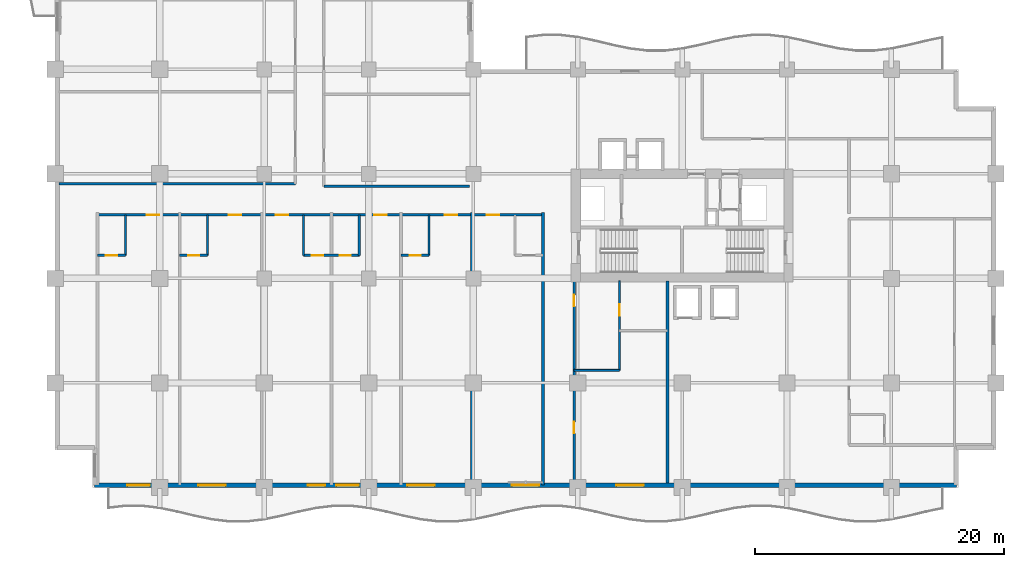
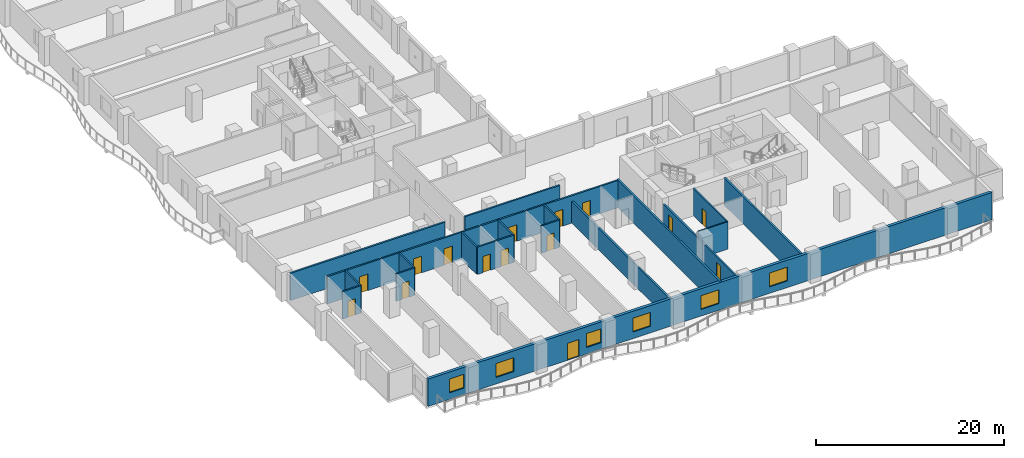
# One storey, part 4 of 17: 19 walls, 15 doors, 6 windows, 21 openings.
"""IFC4 building model written with IfcOpenShell, lengths in metres."""

from ifc_helpers import new_model, si_unit, direction, frame, frame_2d, origin, place, context, subcontext, project, spatial, rectangle, extrude, material, layer, layer_set, type_object, element, fill, save


model = new_model("IFC4")

# Units and contexts
model_context = context("Model", 3, precision=1e-05, world=origin(), true_north=direction((0.0, 1.0)))
body_context = subcontext(model_context, "Body", "Model", "MODEL_VIEW")
ifc_project = project(units=[si_unit("LENGTHUNIT", "METRE"), si_unit("AREAUNIT", "SQUARE_METRE"), si_unit("VOLUMEUNIT", "CUBIC_METRE"), si_unit("PLANEANGLEUNIT", "RADIAN"), si_unit("MASSUNIT", "GRAM", prefix="KILO")], contexts=[model_context])

# Site, building, storey
site_placement = place(None, origin())
site = spatial("IfcSite", under=ifc_project, at=site_placement, CompositionType="ELEMENT")
building_placement = place(site_placement, origin())
building = spatial("IfcBuilding", under=site, at=building_placement, Name="Koriwani Terraces Tower", CompositionType="ELEMENT")
storey_placement = place(building_placement, frame((0.0, 0.0, 130.39990234375)))
storey = spatial("IfcBuildingStorey", under=building, at=storey_placement, Name="L31", CompositionType="ELEMENT", Elevation=130.39990234375)

# Wall, openings, doors
ifc_material_1 = material(Name="Autoclaved Cellular Concrete Blockwork", Category="masonry")
ifc_layer_1 = layer(ifc_material_1, 0.199951171875, Name="Autoclaved Cellular Concrete Blockwork")
ifc_layer_set_1 = layer_set([ifc_layer_1], Name="Autoclaved Cellular Concrete Blockwork")
wall_type_1 = type_object("IfcWallType", Name="WALL_CORRIDOR_200", PredefinedType="PARTITIONING", material=ifc_layer_set_1)
wall_1_placement = place(storey_placement, frame((41.699951171875, 0.35009765625, 0.0), z_axis=(0.0, 0.0, 1.0), x_axis=(0.0, 1.0, 0.0)))
wall_1 = element("IfcWall", 1, at=wall_1_placement, inside=storey, type_object=wall_type_1, Name="L31 Interior Wall WREC-EW-L31", PredefinedType="PARTITIONING", context=body_context, shape_type="SweptSolid", body=[
    extrude(rectangle(XDim=16.25, YDim=0.199951171875, at=frame_2d((8.125, 0.0))), origin(), (0.0, 0.0, 1.0), 2.800048828125),
])
opening_1_placement = place(wall_1_placement, frame((4.0, 0.0, 0.0)))
opening_1 = element("IfcOpeningElement", 2, at=opening_1_placement, cuts=wall_1, Name="Opening D-06", PredefinedType="OPENING", context=body_context, shape_type="SweptSolid", body=[
    extrude(rectangle(XDim=0.919921875, YDim=2.10009765625, at=frame_2d((0.4599609375, 1.050048828125))), frame((0.0, 0.10986328125, 0.0), z_axis=(0.0, -1.0, 0.0), x_axis=(1.0, 0.0, 0.0)), (0.0, 0.0, 1.0), 0.219970703125),
])
opening_2_placement = place(wall_1_placement, frame((14.199951171875, 0.0, 0.0)))
opening_2 = element("IfcOpeningElement", 3, at=opening_2_placement, cuts=wall_1, Name="Opening D-06", PredefinedType="OPENING", context=body_context, shape_type="SweptSolid", body=[
    extrude(rectangle(XDim=0.919921875, YDim=2.10009765625, at=frame_2d((0.4599609375, 1.050048828125))), frame((0.0, 0.10986328125, 0.0), z_axis=(0.0, -1.0, 0.0), x_axis=(1.0, 0.0, 0.0)), (0.0, 0.0, 1.0), 0.219970703125),
])
ifc_material_2 = material(Name="Architectural Oak Fire Door", Category="wood")
door_type_1 = type_object("IfcDoorType", Name="DOOR_ROOM_INT_920X2100", OperationType="NOTDEFINED", PredefinedType="DOOR", material=ifc_material_2)
door_1_placement = place(opening_1_placement, origin())
door_1 = element("IfcDoor", 4, at=door_1_placement, inside=storey, type_object=door_type_1, Name="L31 Floor Study Lounge Door", OperationType="SINGLE_SWING_RIGHT", OverallHeight=2.10009765625, OverallWidth=0.919921875, PredefinedType="DOOR", context=body_context, shape_type="SweptSolid", body=[
    extrude(rectangle(XDim=0.919921875, YDim=2.10009765625, at=frame_2d((0.4599609375, 1.050048828125))), frame((0.0, 0.02490234375, 0.0), z_axis=(0.0, -1.0, 0.0), x_axis=(1.0, 0.0, 0.0)), (0.0, 0.0, 1.0), 0.050048828125),
])
fill(opening_1, door_1)
door_2_placement = place(opening_2_placement, origin())
door_2 = element("IfcDoor", 5, at=door_2_placement, inside=storey, type_object=door_type_1, Name="L31 Housekeeping Store Door", OperationType="SINGLE_SWING_LEFT", OverallHeight=2.10009765625, OverallWidth=0.919921875, PredefinedType="DOOR", context=body_context, shape_type="SweptSolid", body=[
    extrude(rectangle(XDim=0.919921875, YDim=2.10009765625, at=frame_2d((0.4599609375, 1.050048828125))), frame((0.0, 0.02490234375, 0.0), z_axis=(0.0, -1.0, 0.0), x_axis=(1.0, 0.0, 0.0)), (0.0, 0.0, 1.0), 0.050048828125),
])
fill(opening_2, door_2)

# Wall
wall_2_placement = place(storey_placement, frame((21.60009765625, 24.199951171875, 0.0), z_axis=(0.0, 0.0, 1.0), x_axis=(1.0, 0.0, 0.0)))
element("IfcWall", 6, at=wall_2_placement, inside=storey, type_object=wall_type_1, Name="L31 Interior Wall WIC2-S-L31", PredefinedType="PARTITIONING", context=body_context, shape_type="SweptSolid", body=[
    extrude(rectangle(XDim=11.699951171875, YDim=0.199951171875, at=frame_2d((5.85009765625, 0.0))), origin(), (0.0, 0.0, 1.0), 3.550048828125),
])

# Wall, openings, doors
wall_3_placement = place(storey_placement, frame((3.39990234375, 21.89990234375, 0.0), z_axis=(0.0, 0.0, 1.0), x_axis=(1.0, 0.0, 0.0)))
wall_3 = element("IfcWall", 7, at=wall_3_placement, inside=storey, type_object=wall_type_1, Name="L31 Interior Wall WCOR-L31-SW-0", PredefinedType="PARTITIONING", context=body_context, shape_type="SweptSolid", body=[
    extrude(rectangle(XDim=35.800048828125, YDim=0.199951171875, at=frame_2d((17.89990234375, 0.0))), origin(), (0.0, 0.0, 1.0), 3.550048828125),
])
opening_3_placement = place(wall_3_placement, frame((3.965087890625, 0.0, 0.0)))
opening_3 = element("IfcOpeningElement", 8, at=opening_3_placement, cuts=wall_3, Name="Opening D-05", PredefinedType="OPENING", context=body_context, shape_type="SweptSolid", body=[
    extrude(rectangle(XDim=1.0, YDim=2.14990234375, at=frame_2d((0.5, 1.074951171875))), frame((0.0, 0.10986328125, 0.0), z_axis=(0.0, -1.0, 0.0), x_axis=(1.0, 0.0, 0.0)), (0.0, 0.0, 1.0), 0.219970703125),
])
opening_4_placement = place(wall_3_placement, frame((10.56494140625, 0.0, 0.0)))
opening_4 = element("IfcOpeningElement", 9, at=opening_4_placement, cuts=wall_3, Name="Opening D-05", PredefinedType="OPENING", context=body_context, shape_type="SweptSolid", body=[
    extrude(rectangle(XDim=1.0, YDim=2.14990234375, at=frame_2d((0.5, 1.074951171875))), frame((0.0, 0.10986328125, 0.0), z_axis=(0.0, -1.0, 0.0), x_axis=(1.0, 0.0, 0.0)), (0.0, 0.0, 1.0), 0.219970703125),
])
opening_5_placement = place(wall_3_placement, frame((14.340087890625, 0.0, 0.0)))
opening_5 = element("IfcOpeningElement", 10, at=opening_5_placement, cuts=wall_3, Name="Opening D-05", PredefinedType="OPENING", context=body_context, shape_type="SweptSolid", body=[
    extrude(rectangle(XDim=1.0, YDim=2.14990234375, at=frame_2d((0.5, 1.074951171875))), frame((0.0, 0.10986328125, 0.0), z_axis=(0.0, -1.0, 0.0), x_axis=(1.0, 0.0, 0.0)), (0.0, 0.0, 1.0), 0.219970703125),
])
opening_6_placement = place(wall_3_placement, frame((22.260009765625, 0.0, 0.0)))
opening_6 = element("IfcOpeningElement", 11, at=opening_6_placement, cuts=wall_3, Name="Opening D-05", PredefinedType="OPENING", context=body_context, shape_type="SweptSolid", body=[
    extrude(rectangle(XDim=1.0, YDim=2.14990234375, at=frame_2d((0.5, 1.074951171875))), frame((0.0, 0.10986328125, 0.0), z_axis=(0.0, -1.0, 0.0), x_axis=(1.0, 0.0, 0.0)), (0.0, 0.0, 1.0), 0.219970703125),
])
opening_7_placement = place(wall_3_placement, frame((27.9150390625, 0.0, 0.0)))
opening_7 = element("IfcOpeningElement", 12, at=opening_7_placement, cuts=wall_3, Name="Opening D-05", PredefinedType="OPENING", context=body_context, shape_type="SweptSolid", body=[
    extrude(rectangle(XDim=1.0, YDim=2.14990234375, at=frame_2d((0.5, 1.074951171875))), frame((0.0, 0.10986328125, 0.0), z_axis=(0.0, -1.0, 0.0), x_axis=(1.0, 0.0, 0.0)), (0.0, 0.0, 1.0), 0.219970703125),
])
opening_8_placement = place(wall_3_placement, frame((31.284912109375, 0.0, 0.0)))
opening_8 = element("IfcOpeningElement", 13, at=opening_8_placement, cuts=wall_3, Name="Opening D-05", PredefinedType="OPENING", context=body_context, shape_type="SweptSolid", body=[
    extrude(rectangle(XDim=1.0, YDim=2.14990234375, at=frame_2d((0.5, 1.074951171875))), frame((0.0, 0.10986328125, 0.0), z_axis=(0.0, -1.0, 0.0), x_axis=(1.0, 0.0, 0.0)), (0.0, 0.0, 1.0), 0.219970703125),
])
door_type_2 = type_object("IfcDoorType", Name="DOOR_SUITE_ENTRY_1000X2150", OperationType="NOTDEFINED", PredefinedType="DOOR", material=ifc_material_2)
door_3_placement = place(opening_3_placement, origin())
door_3 = element("IfcDoor", 14, at=door_3_placement, inside=storey, type_object=door_type_2, Name="Luxury Hotel Suite 31SW1 Entrance Door", OperationType="SINGLE_SWING_RIGHT", OverallHeight=2.14990234375, OverallWidth=1.0, PredefinedType="DOOR", context=body_context, shape_type="SweptSolid", body=[
    extrude(rectangle(XDim=1.0, YDim=2.14990234375, at=frame_2d((0.5, 1.074951171875))), frame((0.0, 0.02490234375, 0.0), z_axis=(0.0, -1.0, 0.0), x_axis=(1.0, 0.0, 0.0)), (0.0, 0.0, 1.0), 0.050048828125),
])
fill(opening_3, door_3)
door_4_placement = place(opening_4_placement, origin())
door_4 = element("IfcDoor", 15, at=door_4_placement, inside=storey, type_object=door_type_2, Name="Luxury Hotel Suite 31SW2 Entrance Door", OperationType="SINGLE_SWING_RIGHT", OverallHeight=2.14990234375, OverallWidth=1.0, PredefinedType="DOOR", context=body_context, shape_type="SweptSolid", body=[
    extrude(rectangle(XDim=1.0, YDim=2.14990234375, at=frame_2d((0.5, 1.074951171875))), frame((0.0, 0.02490234375, 0.0), z_axis=(0.0, -1.0, 0.0), x_axis=(1.0, 0.0, 0.0)), (0.0, 0.0, 1.0), 0.050048828125),
])
fill(opening_4, door_4)
door_5_placement = place(opening_5_placement, origin())
door_5 = element("IfcDoor", 16, at=door_5_placement, inside=storey, type_object=door_type_2, Name="Luxury Hotel Suite 31SW3 Entrance Door", OperationType="SINGLE_SWING_RIGHT", OverallHeight=2.14990234375, OverallWidth=1.0, PredefinedType="DOOR", context=body_context, shape_type="SweptSolid", body=[
    extrude(rectangle(XDim=1.0, YDim=2.14990234375, at=frame_2d((0.5, 1.074951171875))), frame((0.0, 0.02490234375, 0.0), z_axis=(0.0, -1.0, 0.0), x_axis=(1.0, 0.0, 0.0)), (0.0, 0.0, 1.0), 0.050048828125),
])
fill(opening_5, door_5)
door_6_placement = place(opening_6_placement, origin())
door_6 = element("IfcDoor", 17, at=door_6_placement, inside=storey, type_object=door_type_2, Name="Luxury Hotel Suite 31SW4 Entrance Door", OperationType="SINGLE_SWING_RIGHT", OverallHeight=2.14990234375, OverallWidth=1.0, PredefinedType="DOOR", context=body_context, shape_type="SweptSolid", body=[
    extrude(rectangle(XDim=1.0, YDim=2.14990234375, at=frame_2d((0.5, 1.074951171875))), frame((0.0, 0.02490234375, 0.0), z_axis=(0.0, -1.0, 0.0), x_axis=(1.0, 0.0, 0.0)), (0.0, 0.0, 1.0), 0.050048828125),
])
fill(opening_6, door_6)
door_7_placement = place(opening_7_placement, origin())
door_7 = element("IfcDoor", 18, at=door_7_placement, inside=storey, type_object=door_type_2, Name="Luxury Hotel Suite 31SW5 Entrance Door", OperationType="SINGLE_SWING_RIGHT", OverallHeight=2.14990234375, OverallWidth=1.0, PredefinedType="DOOR", context=body_context, shape_type="SweptSolid", body=[
    extrude(rectangle(XDim=1.0, YDim=2.14990234375, at=frame_2d((0.5, 1.074951171875))), frame((0.0, 0.02490234375, 0.0), z_axis=(0.0, -1.0, 0.0), x_axis=(1.0, 0.0, 0.0)), (0.0, 0.0, 1.0), 0.050048828125),
])
fill(opening_7, door_7)
door_8_placement = place(opening_8_placement, origin())
door_8 = element("IfcDoor", 19, at=door_8_placement, inside=storey, type_object=door_type_2, Name="Luxury Hotel Suite 31SW6 Entrance Door", OperationType="SINGLE_SWING_RIGHT", OverallHeight=2.14990234375, OverallWidth=1.0, PredefinedType="DOOR", context=body_context, shape_type="SweptSolid", body=[
    extrude(rectangle(XDim=1.0, YDim=2.14990234375, at=frame_2d((0.5, 1.074951171875))), frame((0.0, 0.02490234375, 0.0), z_axis=(0.0, -1.0, 0.0), x_axis=(1.0, 0.0, 0.0)), (0.0, 0.0, 1.0), 0.050048828125),
])
fill(opening_8, door_8)

# Walls
ifc_layer_2 = layer(ifc_material_1, 0.219970703125, Name="Autoclaved Cellular Concrete Blockwork")
ifc_layer_set_2 = layer_set([ifc_layer_2], Name="Autoclaved Cellular Concrete Blockwork")
wall_type_2 = type_object("IfcWallType", Name="WALL_DEMISING_220", PredefinedType="PARTITIONING", material=ifc_layer_set_2)
wall_4_placement = place(storey_placement, frame((49.199951171875, 0.35009765625, 0.0), z_axis=(0.0, 0.0, 1.0), x_axis=(0.0, 1.0, 0.0)))
element("IfcWall", 20, at=wall_4_placement, inside=storey, type_object=wall_type_2, Name="L31 Interior Wall WREC-EE-L31", PredefinedType="PARTITIONING", context=body_context, shape_type="SweptSolid", body=[
    extrude(rectangle(XDim=16.25, YDim=0.219970703125, at=frame_2d((8.125, 0.0))), origin(), (0.0, 0.0, 1.0), 3.550048828125),
])
wall_5_placement = place(storey_placement, frame((33.5, 0.199951171875, 0.0), z_axis=(0.0, 0.0, 1.0), x_axis=(0.0, 1.0, 0.0)))
element("IfcWall", 21, at=wall_5_placement, inside=storey, type_object=wall_type_2, Name="L31 Interior Wall WDEM-L31-SW-5", PredefinedType="PARTITIONING", context=body_context, shape_type="SweptSolid", body=[
    extrude(rectangle(XDim=21.880126953125, YDim=0.219970703125, at=frame_2d((10.93994140625, 0.0))), origin(), (0.0, 0.0, 1.0), 2.800048828125),
])
wall_6_placement = place(storey_placement, frame((39.199951171875, 0.199951171875, 0.0), z_axis=(0.0, 0.0, 1.0), x_axis=(0.0, 1.0, 0.0)))
element("IfcWall", 22, at=wall_6_placement, inside=storey, type_object=wall_type_2, Name="L31 Interior Wall WDEME-L31-SW", PredefinedType="PARTITIONING", context=body_context, shape_type="SweptSolid", body=[
    extrude(rectangle(XDim=21.880126953125, YDim=0.219970703125, at=frame_2d((10.93994140625, 0.0))), origin(), (0.0, 0.0, 1.0), 3.550048828125),
])
wall_7_placement = place(storey_placement, frame((0.300048828125, 24.39990234375, 0.0), z_axis=(0.0, 0.0, 1.0), x_axis=(1.0, 0.0, 0.0)))
element("IfcWall", 23, at=wall_7_placement, inside=storey, type_object=wall_type_2, Name="L31 Interior Wall WC2NWCLS-L31", PredefinedType="PARTITIONING", context=body_context, shape_type="SweptSolid", body=[
    extrude(rectangle(XDim=19.0, YDim=0.219970703125, at=frame_2d((9.5, 0.0))), origin(), (0.0, 0.0, 1.0), 3.550048828125),
])

# Wall, openings, door, windows
ifc_material_3 = material(Name="Concrete C50/60", Category="concrete")
ifc_layer_3 = layer(ifc_material_3, 0.35009765625, Name="Concrete C50/60")
ifc_layer_set_3 = layer_set([ifc_layer_3], Name="Concrete C50/60")
wall_type_3 = type_object("IfcWallType", Name="WALL_EXT_BRUTALIST_350", PredefinedType="STANDARD", material=ifc_layer_set_3)
wall_8_placement = place(storey_placement, frame((72.425048828125, 0.175048828125, 0.0), z_axis=(0.0, 0.0, 1.0), x_axis=(-1.0, 0.0, 0.0)))
wall_8 = element("IfcWall", 24, at=wall_8_placement, inside=storey, type_object=wall_type_3, Name="L31 Fair-Faced Brutalist Exterior Wall (S)", PredefinedType="STANDARD", context=body_context, shape_type="SweptSolid", body=[
    extrude(rectangle(XDim=69.25, YDim=0.35009765625, at=frame_2d((34.625, 0.0))), origin(), (0.0, 0.0, 1.0), 3.550048828125),
])
opening_9_placement = place(wall_8_placement, frame((50.72509765625, 0.0, 0.0)))
opening_9 = element("IfcOpeningElement", 25, at=opening_9_placement, cuts=wall_8, Name="Opening D-09", PredefinedType="OPENING", context=body_context, shape_type="SweptSolid", body=[
    extrude(rectangle(XDim=1.39990234375, YDim=2.199951171875, at=frame_2d((0.699951171875, 1.10009765625))), frame((0.0, 0.18505859375, 0.0), z_axis=(0.0, -1.0, 0.0), x_axis=(1.0, 0.0, 0.0)), (0.0, 0.0, 1.0), 0.3701171875),
])
opening_10_placement = place(wall_8_placement, frame((58.72509765625, 0.0, 0.85009765625)))
opening_10 = element("IfcOpeningElement", 26, at=opening_10_placement, cuts=wall_8, Name="Opening W-01", PredefinedType="OPENING", context=body_context, shape_type="SweptSolid", body=[
    extrude(rectangle(XDim=2.199951171875, YDim=1.800048828125, at=frame_2d((1.10009765625, 0.89990234375))), frame((0.0, 0.18505859375, 0.0), z_axis=(0.0, -1.0, 0.0), x_axis=(1.0, 0.0, 0.0)), (0.0, 0.0, 1.0), 0.3701171875),
])
opening_11_placement = place(wall_8_placement, frame((41.925048828125, 0.0, 0.85009765625)))
opening_11 = element("IfcOpeningElement", 27, at=opening_11_placement, cuts=wall_8, Name="Opening W-01", PredefinedType="OPENING", context=body_context, shape_type="SweptSolid", body=[
    extrude(rectangle(XDim=2.199951171875, YDim=1.800048828125, at=frame_2d((1.10009765625, 0.89990234375))), frame((0.0, 0.18505859375, 0.0), z_axis=(0.0, -1.0, 0.0), x_axis=(1.0, 0.0, 0.0)), (0.0, 0.0, 1.0), 0.3701171875),
])
opening_12_placement = place(wall_8_placement, frame((33.52490234375, 0.0, 0.85009765625)))
opening_12 = element("IfcOpeningElement", 28, at=opening_12_placement, cuts=wall_8, Name="Opening W-01", PredefinedType="OPENING", context=body_context, shape_type="SweptSolid", body=[
    extrude(rectangle(XDim=2.199951171875, YDim=1.800048828125, at=frame_2d((1.10009765625, 0.89990234375))), frame((0.0, 0.18505859375, 0.0), z_axis=(0.0, -1.0, 0.0), x_axis=(1.0, 0.0, 0.0)), (0.0, 0.0, 1.0), 0.3701171875),
])
opening_13_placement = place(wall_8_placement, frame((25.125, 0.0, 0.85009765625)))
opening_13 = element("IfcOpeningElement", 29, at=opening_13_placement, cuts=wall_8, Name="Opening W-01", PredefinedType="OPENING", context=body_context, shape_type="SweptSolid", body=[
    extrude(rectangle(XDim=2.199951171875, YDim=1.800048828125, at=frame_2d((1.10009765625, 0.89990234375))), frame((0.0, 0.18505859375, 0.0), z_axis=(0.0, -1.0, 0.0), x_axis=(1.0, 0.0, 0.0)), (0.0, 0.0, 1.0), 0.3701171875),
])
opening_14_placement = place(wall_8_placement, frame((64.824951171875, 0.0, 0.85009765625)))
opening_14 = element("IfcOpeningElement", 30, at=opening_14_placement, cuts=wall_8, Name="Opening W-04", PredefinedType="OPENING", context=body_context, shape_type="SweptSolid", body=[
    extrude(rectangle(XDim=1.800048828125, YDim=1.800048828125, at=frame_2d((0.89990234375, 0.89990234375))), frame((0.0, 0.18505859375, 0.0), z_axis=(0.0, -1.0, 0.0), x_axis=(1.0, 0.0, 0.0)), (0.0, 0.0, 1.0), 0.3701171875),
])
opening_15_placement = place(wall_8_placement, frame((48.02490234375, 0.0, 0.85009765625)))
opening_15 = element("IfcOpeningElement", 31, at=opening_15_placement, cuts=wall_8, Name="Opening W-04", PredefinedType="OPENING", context=body_context, shape_type="SweptSolid", body=[
    extrude(rectangle(XDim=1.800048828125, YDim=1.800048828125, at=frame_2d((0.89990234375, 0.89990234375))), frame((0.0, 0.18505859375, 0.0), z_axis=(0.0, -1.0, 0.0), x_axis=(1.0, 0.0, 0.0)), (0.0, 0.0, 1.0), 0.3701171875),
])
ifc_material_4 = material(Name="Anodised Bronze Aluminium", Category="aluminium")
door_type_3 = type_object("IfcDoorType", Name="DOOR_BALCONY_GLAZED_1400X2200", OperationType="NOTDEFINED", PredefinedType="DOOR", material=ifc_material_4)
door_9_placement = place(opening_9_placement, origin())
door_9 = element("IfcDoor", 32, at=door_9_placement, inside=storey, type_object=door_type_3, Name="L31 South Balcony Glazed Door", OperationType="SINGLE_SWING_LEFT", OverallHeight=2.199951171875, OverallWidth=1.39990234375, PredefinedType="DOOR", context=body_context, shape_type="SweptSolid", body=[
    extrude(rectangle(XDim=1.39990234375, YDim=2.199951171875, at=frame_2d((0.699951171875, 1.10009765625))), frame((0.0, 0.02490234375, 0.0), z_axis=(0.0, -1.0, 0.0), x_axis=(1.0, 0.0, 0.0)), (0.0, 0.0, 1.0), 0.050048828125),
])
fill(opening_9, door_9)
ifc_material_5 = material(Name="Tempered Laminated Low-E Glass", Category="glass")
window_type_1 = type_object("IfcWindowType", Name="WIN_HOTEL_STD_2200X1800", PartitioningType="DOUBLE_PANEL_VERTICAL", PredefinedType="WINDOW", material=ifc_material_5)
window_1_placement = place(opening_10_placement, origin())
window_1 = element("IfcWindow", 33, at=window_1_placement, inside=storey, type_object=window_type_1, Name="L31 Exterior Window (S-3)", OverallHeight=1.800048828125, OverallWidth=2.199951171875, PartitioningType="SINGLE_PANEL", PredefinedType="WINDOW", context=body_context, shape_type="SweptSolid", body=[
    extrude(rectangle(XDim=2.199951171875, YDim=1.800048828125, at=frame_2d((1.10009765625, 0.89990234375))), frame((0.0, 0.030029296875, 0.0), z_axis=(0.0, -1.0, 0.0), x_axis=(1.0, 0.0, 0.0)), (0.0, 0.0, 1.0), 0.06005859375),
])
fill(opening_10, window_1)
window_2_placement = place(opening_11_placement, origin())
window_2 = element("IfcWindow", 34, at=window_2_placement, inside=storey, type_object=window_type_1, Name="L31 Exterior Window (S-9)", OverallHeight=1.800048828125, OverallWidth=2.199951171875, PartitioningType="SINGLE_PANEL", PredefinedType="WINDOW", context=body_context, shape_type="SweptSolid", body=[
    extrude(rectangle(XDim=2.199951171875, YDim=1.800048828125, at=frame_2d((1.10009765625, 0.89990234375))), frame((0.0, 0.030029296875, 0.0), z_axis=(0.0, -1.0, 0.0), x_axis=(1.0, 0.0, 0.0)), (0.0, 0.0, 1.0), 0.06005859375),
])
fill(opening_11, window_2)
window_3_placement = place(opening_12_placement, origin())
window_3 = element("IfcWindow", 35, at=window_3_placement, inside=storey, type_object=window_type_1, Name="L31 Exterior Window (S-12)", OverallHeight=1.800048828125, OverallWidth=2.199951171875, PartitioningType="SINGLE_PANEL", PredefinedType="WINDOW", context=body_context, shape_type="SweptSolid", body=[
    extrude(rectangle(XDim=2.199951171875, YDim=1.800048828125, at=frame_2d((1.10009765625, 0.89990234375))), frame((0.0, 0.030029296875, 0.0), z_axis=(0.0, -1.0, 0.0), x_axis=(1.0, 0.0, 0.0)), (0.0, 0.0, 1.0), 0.06005859375),
])
fill(opening_12, window_3)
window_4_placement = place(opening_13_placement, origin())
window_4 = element("IfcWindow", 36, at=window_4_placement, inside=storey, type_object=window_type_1, Name="L31 Exterior Window (S-15)", OverallHeight=1.800048828125, OverallWidth=2.199951171875, PartitioningType="SINGLE_PANEL", PredefinedType="WINDOW", context=body_context, shape_type="SweptSolid", body=[
    extrude(rectangle(XDim=2.199951171875, YDim=1.800048828125, at=frame_2d((1.10009765625, 0.89990234375))), frame((0.0, 0.030029296875, 0.0), z_axis=(0.0, -1.0, 0.0), x_axis=(1.0, 0.0, 0.0)), (0.0, 0.0, 1.0), 0.06005859375),
])
fill(opening_13, window_4)
window_type_2 = type_object("IfcWindowType", Name="WIN_RES_BED_1800X1800", PartitioningType="DOUBLE_PANEL_VERTICAL", PredefinedType="WINDOW", material=ifc_material_5)
window_5_placement = place(opening_14_placement, origin())
window_5 = element("IfcWindow", 37, at=window_5_placement, inside=storey, type_object=window_type_2, Name="L31 Exterior Window (S-R34)", OverallHeight=1.800048828125, OverallWidth=1.800048828125, PartitioningType="SINGLE_PANEL", PredefinedType="WINDOW", context=body_context, shape_type="SweptSolid", body=[
    extrude(rectangle(XDim=1.800048828125, YDim=1.800048828125, at=frame_2d((0.89990234375, 0.89990234375))), frame((0.0, 0.030029296875, 0.0), z_axis=(0.0, -1.0, 0.0), x_axis=(1.0, 0.0, 0.0)), (0.0, 0.0, 1.0), 0.06005859375),
])
fill(opening_14, window_5)
window_6_placement = place(opening_15_placement, origin())
window_6 = element("IfcWindow", 38, at=window_6_placement, inside=storey, type_object=window_type_2, Name="L31 Exterior Window (S-R40)", OverallHeight=1.800048828125, OverallWidth=1.800048828125, PartitioningType="SINGLE_PANEL", PredefinedType="WINDOW", context=body_context, shape_type="SweptSolid", body=[
    extrude(rectangle(XDim=1.800048828125, YDim=1.800048828125, at=frame_2d((0.89990234375, 0.89990234375))), frame((0.0, 0.030029296875, 0.0), z_axis=(0.0, -1.0, 0.0), x_axis=(1.0, 0.0, 0.0)), (0.0, 0.0, 1.0), 0.06005859375),
])
fill(opening_15, window_6)

# Wall, opening, door
ifc_material_6 = material(Name="Fire-Rated Acoustic Gypsum Partition", Category="masonry")
ifc_layer_4 = layer(ifc_material_6, 0.179931640625, Name="Fire-Rated Acoustic Gypsum Partition")
ifc_layer_set_4 = layer_set([ifc_layer_4], Name="Fire-Rated Acoustic Gypsum Partition")
wall_type_4 = type_object("IfcWallType", Name="WALL_PLUMBING_180", PredefinedType="PLUMBINGWALL", material=ifc_layer_set_4)
wall_9_placement = place(storey_placement, frame((3.39990234375, 18.64990234375, 0.0), z_axis=(0.0, 0.0, 1.0), x_axis=(1.0, 0.0, 0.0)))
wall_9 = element("IfcWall", 39, at=wall_9_placement, inside=storey, type_object=wall_type_4, Name="L31 Interior Wall WBTH1-L31-SW-0", PredefinedType="PLUMBINGWALL", context=body_context, shape_type="SweptSolid", body=[
    extrude(rectangle(XDim=2.25, YDim=0.179931640625, at=frame_2d((1.125, 0.0))), origin(), (0.0, 0.0, 1.0), 3.550048828125),
])
opening_16_placement = place(wall_9_placement, frame((0.675048828125, 0.0, 0.0)))
opening_16 = element("IfcOpeningElement", 40, at=opening_16_placement, cuts=wall_9, Name="Opening D-07", PredefinedType="OPENING", context=body_context, shape_type="SweptSolid", body=[
    extrude(rectangle(XDim=0.89990234375, YDim=2.10009765625, at=frame_2d((0.449951171875, 1.050048828125))), frame((0.0, 0.10009765625, 0.0), z_axis=(0.0, -1.0, 0.0), x_axis=(1.0, 0.0, 0.0)), (0.0, 0.0, 1.0), 0.199951171875),
])
door_type_4 = type_object("IfcDoorType", Name="DOOR_BATH_INT_900X2100", OperationType="NOTDEFINED", PredefinedType="DOOR", material=ifc_material_2)
door_10_placement = place(opening_16_placement, origin())
door_10 = element("IfcDoor", 41, at=door_10_placement, inside=storey, type_object=door_type_4, Name="En-Suite Bathroom 31SW1 Door", OperationType="SINGLE_SWING_LEFT", OverallHeight=2.10009765625, OverallWidth=0.89990234375, PredefinedType="DOOR", context=body_context, shape_type="SweptSolid", body=[
    extrude(rectangle(XDim=0.89990234375, YDim=2.10009765625, at=frame_2d((0.449951171875, 1.050048828125))), frame((0.0, 0.02490234375, 0.0), z_axis=(0.0, -1.0, 0.0), x_axis=(1.0, 0.0, 0.0)), (0.0, 0.0, 1.0), 0.050048828125),
])
fill(opening_16, door_10)

# Wall
wall_10_placement = place(storey_placement, frame((5.64990234375, 18.64990234375, 0.0), z_axis=(0.0, 0.0, 1.0), x_axis=(0.0, 1.0, 0.0)))
element("IfcWall", 42, at=wall_10_placement, inside=storey, type_object=wall_type_4, Name="L31 Interior Wall WBTH2-L31-SW-0", PredefinedType="PLUMBINGWALL", context=body_context, shape_type="SweptSolid", body=[
    extrude(rectangle(XDim=3.25, YDim=0.179931640625, at=frame_2d((1.625, 0.0))), origin(), (0.0, 0.0, 1.0), 3.550048828125),
])

# Wall, opening, door
wall_11_placement = place(storey_placement, frame((10.0, 18.64990234375, 0.0), z_axis=(0.0, 0.0, 1.0), x_axis=(1.0, 0.0, 0.0)))
wall_11 = element("IfcWall", 43, at=wall_11_placement, inside=storey, type_object=wall_type_4, Name="L31 Interior Wall WBTH1-L31-SW-1", PredefinedType="PLUMBINGWALL", context=body_context, shape_type="SweptSolid", body=[
    extrude(rectangle(XDim=2.25, YDim=0.179931640625, at=frame_2d((1.125, 0.0))), origin(), (0.0, 0.0, 1.0), 3.550048828125),
])
opening_17_placement = place(wall_11_placement, frame((0.675048828125, 0.0, 0.0)))
opening_17 = element("IfcOpeningElement", 44, at=opening_17_placement, cuts=wall_11, Name="Opening D-07", PredefinedType="OPENING", context=body_context, shape_type="SweptSolid", body=[
    extrude(rectangle(XDim=0.89990234375, YDim=2.10009765625, at=frame_2d((0.449951171875, 1.050048828125))), frame((0.0, 0.10009765625, 0.0), z_axis=(0.0, -1.0, 0.0), x_axis=(1.0, 0.0, 0.0)), (0.0, 0.0, 1.0), 0.199951171875),
])
door_11_placement = place(opening_17_placement, origin())
door_11 = element("IfcDoor", 45, at=door_11_placement, inside=storey, type_object=door_type_4, Name="En-Suite Bathroom 31SW2 Door", OperationType="SINGLE_SWING_LEFT", OverallHeight=2.10009765625, OverallWidth=0.89990234375, PredefinedType="DOOR", context=body_context, shape_type="SweptSolid", body=[
    extrude(rectangle(XDim=0.89990234375, YDim=2.10009765625, at=frame_2d((0.449951171875, 1.050048828125))), frame((0.0, 0.02490234375, 0.0), z_axis=(0.0, -1.0, 0.0), x_axis=(1.0, 0.0, 0.0)), (0.0, 0.0, 1.0), 0.050048828125),
])
fill(opening_17, door_11)

# Wall
wall_12_placement = place(storey_placement, frame((12.25, 18.64990234375, 0.0), z_axis=(0.0, 0.0, 1.0), x_axis=(0.0, 1.0, 0.0)))
element("IfcWall", 46, at=wall_12_placement, inside=storey, type_object=wall_type_4, Name="L31 Interior Wall WBTH2-L31-SW-1", PredefinedType="PLUMBINGWALL", context=body_context, shape_type="SweptSolid", body=[
    extrude(rectangle(XDim=3.25, YDim=0.179931640625, at=frame_2d((1.625, 0.0))), origin(), (0.0, 0.0, 1.0), 3.550048828125),
])

# Wall, openings, doors
wall_13_placement = place(storey_placement, frame((19.9599609375, 18.64990234375, 0.0), z_axis=(0.0, 0.0, 1.0), x_axis=(1.0, 0.0, 0.0)))
wall_13 = element("IfcWall", 47, at=wall_13_placement, inside=storey, type_object=wall_type_4, Name="L31 Interior Wall WBTH1-L31-SW-2", PredefinedType="PLUMBINGWALL", context=body_context, shape_type="SweptSolid", body=[
    extrude(rectangle(XDim=4.47998046875, YDim=0.179931640625, at=frame_2d((2.239990234375, 0.0))), origin(), (0.0, 0.0, 1.0), 3.550048828125),
])
opening_18_placement = place(wall_13_placement, frame((0.669921875, 0.0, 0.0)))
opening_18 = element("IfcOpeningElement", 48, at=opening_18_placement, cuts=wall_13, Name="Opening D-07", PredefinedType="OPENING", context=body_context, shape_type="SweptSolid", body=[
    extrude(rectangle(XDim=0.89990234375, YDim=2.10009765625, at=frame_2d((0.449951171875, 1.050048828125))), frame((0.0, 0.10009765625, 0.0), z_axis=(0.0, -1.0, 0.0), x_axis=(1.0, 0.0, 0.0)), (0.0, 0.0, 1.0), 0.199951171875),
])
opening_19_placement = place(wall_13_placement, frame((2.909912109375, 0.0, 0.0)))
opening_19 = element("IfcOpeningElement", 49, at=opening_19_placement, cuts=wall_13, Name="Opening D-07", PredefinedType="OPENING", context=body_context, shape_type="SweptSolid", body=[
    extrude(rectangle(XDim=0.89990234375, YDim=2.10009765625, at=frame_2d((0.449951171875, 1.050048828125))), frame((0.0, 0.10009765625, 0.0), z_axis=(0.0, -1.0, 0.0), x_axis=(1.0, 0.0, 0.0)), (0.0, 0.0, 1.0), 0.199951171875),
])
door_12_placement = place(opening_18_placement, origin())
door_12 = element("IfcDoor", 50, at=door_12_placement, inside=storey, type_object=door_type_4, Name="En-Suite Bathroom 31SW3 Door", OperationType="SINGLE_SWING_LEFT", OverallHeight=2.10009765625, OverallWidth=0.89990234375, PredefinedType="DOOR", context=body_context, shape_type="SweptSolid", body=[
    extrude(rectangle(XDim=0.89990234375, YDim=2.10009765625, at=frame_2d((0.449951171875, 1.050048828125))), frame((0.0, 0.02490234375, 0.0), z_axis=(0.0, -1.0, 0.0), x_axis=(1.0, 0.0, 0.0)), (0.0, 0.0, 1.0), 0.050048828125),
])
fill(opening_18, door_12)
door_13_placement = place(opening_19_placement, origin())
door_13 = element("IfcDoor", 51, at=door_13_placement, inside=storey, type_object=door_type_4, Name="En-Suite Bathroom 31SW4 Door", OperationType="SINGLE_SWING_LEFT", OverallHeight=2.10009765625, OverallWidth=0.89990234375, PredefinedType="DOOR", context=body_context, shape_type="SweptSolid", body=[
    extrude(rectangle(XDim=0.89990234375, YDim=2.10009765625, at=frame_2d((0.449951171875, 1.050048828125))), frame((0.0, 0.02490234375, 0.0), z_axis=(0.0, -1.0, 0.0), x_axis=(1.0, 0.0, 0.0)), (0.0, 0.0, 1.0), 0.050048828125),
])
fill(opening_19, door_13)

# Walls
for number, where, z_axis, x_axis, name in (
    (52, (19.9599609375, 18.64990234375, 0.0), (0.0, 0.0, 1.0), (0.0, 1.0, 0.0), "L31 Interior Wall WBTH2-L31-SW-2"),
    (53, (24.43994140625, 18.64990234375, 0.0), (0.0, 0.0, 1.0), (0.0, 1.0, 0.0), "L31 Interior Wall WBTH2-L31-SW-3"),
):
    element("IfcWall", number, at=place(storey_placement, frame(where, z_axis=z_axis, x_axis=x_axis)), inside=storey, type_object=wall_type_4, Name=name, PredefinedType="PLUMBINGWALL", context=body_context, shape_type="SweptSolid", body=[
        extrude(rectangle(XDim=3.25, YDim=0.179931640625, at=frame_2d((1.625, 0.0))), origin(), (0.0, 0.0, 1.0), 3.550048828125),
    ])

# Wall, opening, door
wall_14_placement = place(storey_placement, frame((27.800048828125, 18.64990234375, 0.0), z_axis=(0.0, 0.0, 1.0), x_axis=(1.0, 0.0, 0.0)))
wall_14 = element("IfcWall", 54, at=wall_14_placement, inside=storey, type_object=wall_type_4, Name="L31 Interior Wall WBTH1-L31-SW-4", PredefinedType="PLUMBINGWALL", context=body_context, shape_type="SweptSolid", body=[
    extrude(rectangle(XDim=2.25, YDim=0.179931640625, at=frame_2d((1.125, 0.0))), origin(), (0.0, 0.0, 1.0), 3.550048828125),
])
opening_20_placement = place(wall_14_placement, frame((0.675048828125, 0.0, 0.0)))
opening_20 = element("IfcOpeningElement", 55, at=opening_20_placement, cuts=wall_14, Name="Opening D-07", PredefinedType="OPENING", context=body_context, shape_type="SweptSolid", body=[
    extrude(rectangle(XDim=0.89990234375, YDim=2.10009765625, at=frame_2d((0.449951171875, 1.050048828125))), frame((0.0, 0.10009765625, 0.0), z_axis=(0.0, -1.0, 0.0), x_axis=(1.0, 0.0, 0.0)), (0.0, 0.0, 1.0), 0.199951171875),
])
door_14_placement = place(opening_20_placement, origin())
door_14 = element("IfcDoor", 56, at=door_14_placement, inside=storey, type_object=door_type_4, Name="En-Suite Bathroom 31SW5 Door", OperationType="SINGLE_SWING_LEFT", OverallHeight=2.10009765625, OverallWidth=0.89990234375, PredefinedType="DOOR", context=body_context, shape_type="SweptSolid", body=[
    extrude(rectangle(XDim=0.89990234375, YDim=2.10009765625, at=frame_2d((0.449951171875, 1.050048828125))), frame((0.0, 0.02490234375, 0.0), z_axis=(0.0, -1.0, 0.0), x_axis=(1.0, 0.0, 0.0)), (0.0, 0.0, 1.0), 0.050048828125),
])
fill(opening_20, door_14)

# Walls
wall_15_placement = place(storey_placement, frame((30.050048828125, 18.64990234375, 0.0), z_axis=(0.0, 0.0, 1.0), x_axis=(0.0, 1.0, 0.0)))
element("IfcWall", 57, at=wall_15_placement, inside=storey, type_object=wall_type_4, Name="L31 Interior Wall WBTH2-L31-SW-4", PredefinedType="PLUMBINGWALL", context=body_context, shape_type="SweptSolid", body=[
    extrude(rectangle(XDim=3.25, YDim=0.179931640625, at=frame_2d((1.625, 0.0))), origin(), (0.0, 0.0, 1.0), 3.550048828125),
])
ifc_layer_5 = layer(ifc_material_6, 0.159912109375, Name="Fire-Rated Acoustic Gypsum Partition")
ifc_layer_set_5 = layer_set([ifc_layer_5], Name="Fire-Rated Acoustic Gypsum Partition")
wall_type_5 = type_object("IfcWallType", Name="WALL_SUITE_160", PredefinedType="PARTITIONING", material=ifc_layer_set_5)
wall_16_placement = place(storey_placement, frame((41.699951171875, 9.39990234375, 0.0), z_axis=(0.0, 0.0, 1.0), x_axis=(1.0, 0.0, 0.0)))
element("IfcWall", 58, at=wall_16_placement, inside=storey, type_object=wall_type_5, Name="L31 Interior Wall WREC-EM1-L31", PredefinedType="PARTITIONING", context=body_context, shape_type="SweptSolid", body=[
    extrude(rectangle(XDim=3.650146484375, YDim=0.159912109375, at=frame_2d((1.8251953125, 0.0))), origin(), (0.0, 0.0, 1.0), 3.550048828125),
])

# Wall, opening, door
wall_17_placement = place(storey_placement, frame((45.35009765625, 9.39990234375, 0.0), z_axis=(0.0, 0.0, 1.0), x_axis=(0.0, 1.0, 0.0)))
wall_17 = element("IfcWall", 59, at=wall_17_placement, inside=storey, type_object=wall_type_5, Name="L31 Interior Wall WREC-EV-L31", PredefinedType="PARTITIONING", context=body_context, shape_type="SweptSolid", body=[
    extrude(rectangle(XDim=7.2001953125, YDim=0.159912109375, at=frame_2d((3.60009765625, 0.0))), origin(), (0.0, 0.0, 1.0), 3.550048828125),
])
opening_21_placement = place(wall_17_placement, frame((4.39990234375, 0.0, 0.0)))
opening_21 = element("IfcOpeningElement", 60, at=opening_21_placement, cuts=wall_17, Name="Opening D-07", PredefinedType="OPENING", context=body_context, shape_type="SweptSolid", body=[
    extrude(rectangle(XDim=0.89990234375, YDim=2.10009765625, at=frame_2d((0.449951171875, 1.050048828125))), frame((0.0, 0.08984375, 0.0), z_axis=(0.0, -1.0, 0.0), x_axis=(1.0, 0.0, 0.0)), (0.0, 0.0, 1.0), 0.179931640625),
])
door_15_placement = place(opening_21_placement, origin())
door_15 = element("IfcDoor", 61, at=door_15_placement, inside=storey, type_object=door_type_4, Name="L31 Guest Ice Pantry Door", OperationType="SINGLE_SWING_LEFT", OverallHeight=2.10009765625, OverallWidth=0.89990234375, PredefinedType="DOOR", context=body_context, shape_type="SweptSolid", body=[
    extrude(rectangle(XDim=0.89990234375, YDim=2.10009765625, at=frame_2d((0.449951171875, 1.050048828125))), frame((0.0, 0.02490234375, 0.0), z_axis=(0.0, -1.0, 0.0), x_axis=(1.0, 0.0, 0.0)), (0.0, 0.0, 1.0), 0.050048828125),
])
fill(opening_21, door_15)

save(model, "model.ifc")
